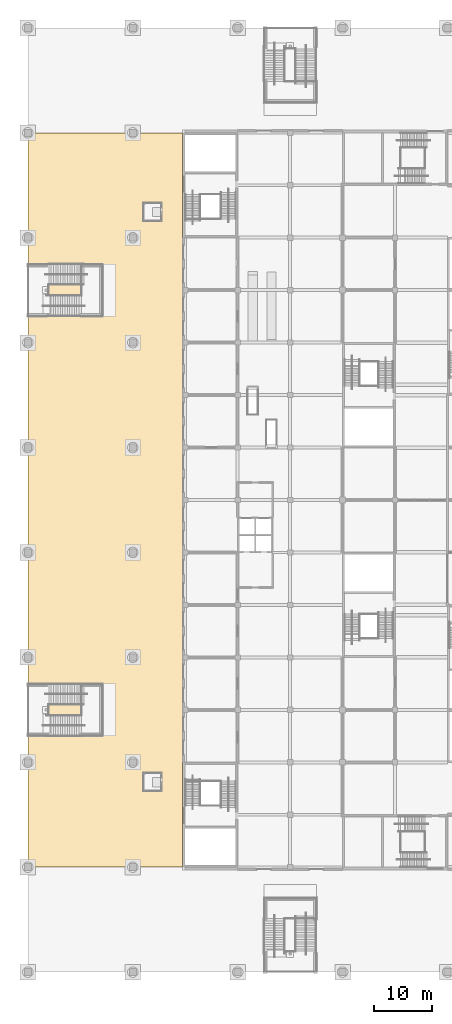
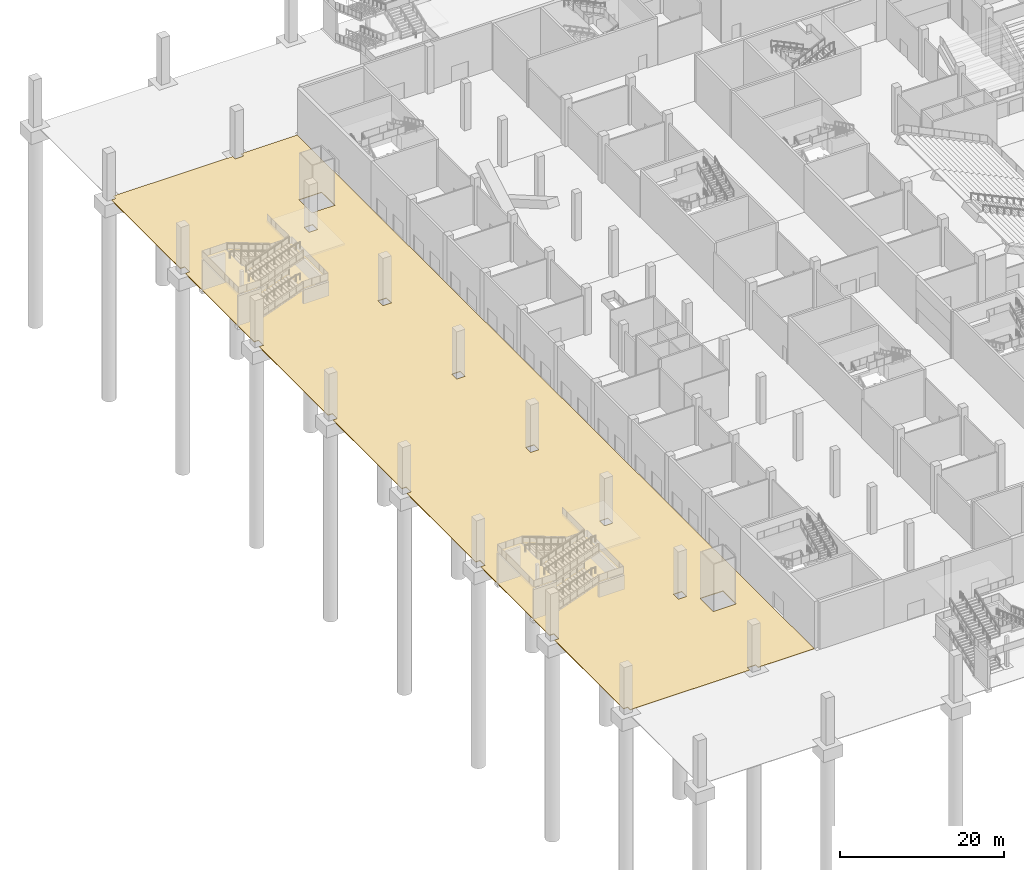
# One storey, part 62 of 92: 1 covering.
"""IFC4 building model written with IfcOpenShell, lengths in metres."""

import ifcopenshell
import ifcopenshell.guid

model = None  # the IFC model being written
_history = None  # IfcOwnerHistory: only IFC2X3 demands one
_inside = {}  # id of a spatial element -> (the spatial element, [elements in it])
_under = {}  # id of a project, library or spatial element -> (it, [spatial elements below it])
_declared = {}  # id of a project -> (the project, [libraries it declares])
_typed = {}  # id of a type object -> (the type object, [elements of that type])
_made_of = {}  # id of a material, layer set ... -> (it, [elements and type objects made of it])


def new_model(schema):
    """Start an empty IFC model of exactly this schema.

    Asked for "IFC4X3", IfcOpenShell would pick the latest addendum, in which some entities
    have other attributes; the version numbers below select the first issue.
    IFC2X3 requires an IfcOwnerHistory on every rooted entity: one is made here for all.
    """
    global model, _history
    if schema == "IFC4X3":
        model = ifcopenshell.file(schema_version=(4, 3, 0, 0))
    else:
        model = ifcopenshell.file(schema=schema)
    _inside.clear()
    _under.clear()
    _declared.clear()
    _typed.clear()
    _made_of.clear()
    _history = None
    if model.schema == "IFC2X3":
        org = make("IfcOrganization", Name="unknown")
        user = make(
            "IfcPersonAndOrganization",
            ThePerson=make("IfcPerson", FamilyName="unknown"),
            TheOrganization=org,
        )
        app = make(
            "IfcApplication",
            ApplicationDeveloper=org,
            Version="unknown",
            ApplicationFullName="unknown",
            ApplicationIdentifier="unknown",
        )
        _history = make(
            "IfcOwnerHistory",
            OwningUser=user,
            OwningApplication=app,
            ChangeAction="ADDED",
            CreationDate=0,
        )
    return model


def make(cls, **values):
    """One entity of the class cls with the attributes given. An attribute that is None is left unset."""
    return model.create_entity(
        cls, **{name: value for name, value in values.items() if value is not None}
    )


def rooted(cls, **values):
    """An entity with a GlobalId (a new one), such as an element, a storey or a relation."""
    return make(cls, GlobalId=ifcopenshell.guid.new(), OwnerHistory=_history, **values)


def si_unit(unit_type, name, prefix=None):
    """IfcSIUnit, for example si_unit("LENGTHUNIT", "METRE", prefix="MILLI")."""
    return make("IfcSIUnit", UnitType=unit_type, Prefix=prefix, Name=name)


def assignment(units):
    """IfcUnitAssignment: the units of a project."""
    return None if units is None else make("IfcUnitAssignment", Units=units)


def point(xyz):
    """IfcCartesianPoint."""
    return None if xyz is None else make("IfcCartesianPoint", Coordinates=xyz)


def direction(xyz):
    """IfcDirection."""
    return None if xyz is None else make("IfcDirection", DirectionRatios=xyz)


def frame(location, z_axis=None, x_axis=None):
    """IfcAxis2Placement3D, a coordinate frame: its origin and axes. An axis left out is left unset."""
    return make(
        "IfcAxis2Placement3D",
        Location=point(location),
        Axis=direction(z_axis),
        RefDirection=direction(x_axis),
    )


def origin():
    """The frame at (0, 0, 0) with its axes left unset."""
    return frame((0.0, 0.0, 0.0))


def place(relative_to, where):
    """IfcLocalPlacement: puts the frame where relative to a parent placement (None: the world)."""
    return make(
        "IfcLocalPlacement", PlacementRelTo=relative_to, RelativePlacement=where
    )


def context(
    kind, dimensions, precision=None, world=None, true_north=None, identifier=None
):
    """IfcGeometricRepresentationContext, for example the 3D "Model" context."""
    return make(
        "IfcGeometricRepresentationContext",
        ContextIdentifier=identifier,
        ContextType=kind,
        CoordinateSpaceDimension=dimensions,
        Precision=precision,
        WorldCoordinateSystem=world,
        TrueNorth=true_north,
    )


def subcontext(parent, identifier, kind, view, scale=None):
    """IfcGeometricRepresentationSubContext, for example "Body" below "Model"."""
    return make(
        "IfcGeometricRepresentationSubContext",
        ContextIdentifier=identifier,
        ContextType=kind,
        ParentContext=parent,
        TargetScale=scale,
        TargetView=view,
    )


def project(units=None, contexts=None):
    """IfcProject with its units and contexts."""
    return rooted(
        "IfcProject",
        Name="project",
        RepresentationContexts=contexts,
        UnitsInContext=assignment(units),
    )


def spatial(cls, under=None, at=None, **own):
    """A site, building, storey or space (cls), placed at a placement, below another one or the project."""
    s = rooted(cls, ObjectPlacement=at, **own)
    if under is not None:
        _under.setdefault(under.id(), (under, []))[1].append(s)
    return s


def polyline(points):
    """IfcPolyline through the points."""
    return make("IfcPolyline", Points=[point(p) for p in points])


def outline(outer, holes=None, kind="AREA"):
    """IfcArbitraryClosedProfileDef: a profile drawn as a closed curve; with holes, ...WithVoids."""
    if holes is None:
        return make("IfcArbitraryClosedProfileDef", ProfileType=kind, OuterCurve=outer)
    return make(
        "IfcArbitraryProfileDefWithVoids",
        ProfileType=kind,
        OuterCurve=outer,
        InnerCurves=holes,
    )


def extrude(swept, where, along, depth):
    """IfcExtrudedAreaSolid: the profile swept, set in the frame where, extruded along a direction by depth."""
    return make(
        "IfcExtrudedAreaSolid",
        SweptArea=swept,
        Position=where,
        ExtrudedDirection=direction(along),
        Depth=depth,
    )


def shape(context_of_items, identifier, shape_type, items):
    """IfcShapeRepresentation: the items that make up one representation, for example the "Body"."""
    return make(
        "IfcShapeRepresentation",
        ContextOfItems=context_of_items,
        RepresentationIdentifier=identifier,
        RepresentationType=shape_type,
        Items=items,
    )


def material(Name=None, Category=None):
    """IfcMaterial."""
    return make("IfcMaterial", Name=Name, Category=Category)


def layer(
    of_material, thickness, ventilated=None, Name=None, Category=None, Priority=None
):
    """IfcMaterialLayer: one layer of a wall or slab, of a material (None: an air gap)."""
    return make(
        "IfcMaterialLayer",
        Material=of_material,
        LayerThickness=thickness,
        IsVentilated=ventilated,
        Name=Name,
        Category=Category,
        Priority=Priority,
    )


def layer_set(layers, Name=None):
    """IfcMaterialLayerSet."""
    return make("IfcMaterialLayerSet", MaterialLayers=layers, LayerSetName=Name)


def made_of(thing, what):
    """Note that an element or type object is made of a material, layer set ...; save() writes the relation."""
    if what is not None:
        _made_of.setdefault(what.id(), (what, []))[1].append(thing)
    return thing


def type_object(cls, material=None, **own):
    """A type object (cls), such as IfcWallType, which elements share."""
    return made_of(rooted(cls, **own), material)


def element(
    cls,
    number,
    at=None,
    inside=None,
    cuts=None,
    type_object=None,
    material=None,
    context=None,
    identifier="Body",
    shape_type=None,
    held_by="IfcProductDefinitionShape",
    body=None,
    shapes=None,
    **own,
):
    """One element of the class cls, such as IfcWall. Its Tag is "e" and its number.

    at: its placement. inside: the storey or other place that contains it. cuts: it is an
    opening in that element (IfcRelVoidsElement). A single representation is given by context,
    identifier, shape_type and body (its items); several are given by shapes. held_by: the class
    of the entity that holds the representations. save() writes the other relations.
    """
    e = rooted(cls, Tag="e%d" % number, ObjectPlacement=at, **own)
    if body is not None:
        shapes = [shape(context, identifier, shape_type, body)]
    if shapes is not None:
        e.Representation = make(held_by, Representations=shapes)
    if inside is not None:
        _inside.setdefault(inside.id(), (inside, []))[1].append(e)
    if cuts is not None:
        rooted(
            "IfcRelVoidsElement", RelatingBuildingElement=cuts, RelatedOpeningElement=e
        )
    if type_object is not None:
        _typed.setdefault(type_object.id(), (type_object, []))[1].append(e)
    return made_of(e, material)


def aggregate(whole, parts):
    """IfcRelAggregates: a whole, such as a stair, and the parts it consists of."""
    return rooted("IfcRelAggregates", RelatingObject=whole, RelatedObjects=parts)


def save(model, path):
    """Write the relations noted so far, then the file.

    IfcRelAggregates (storeys below a building ...), IfcRelContainedInSpatialStructure (elements
    in a storey), IfcRelDefinesByType, IfcRelAssociatesMaterial and IfcRelDeclares: one each for
    every whole, place, type object, material and project.
    """
    for whole, parts in _under.values():
        aggregate(whole, parts)
    for where, things in _inside.values():
        rooted(
            "IfcRelContainedInSpatialStructure",
            RelatedElements=things,
            RelatingStructure=where,
        )
    for kind, things in _typed.values():
        rooted("IfcRelDefinesByType", RelatedObjects=things, RelatingType=kind)
    for what, things in _made_of.values():
        rooted("IfcRelAssociatesMaterial", RelatedObjects=things, RelatingMaterial=what)
    for by, libraries in _declared.values():
        rooted("IfcRelDeclares", RelatingContext=by, RelatedDefinitions=libraries)
    model.write(path)


model = new_model("IFC4")

# Units and contexts
model_context = context("Model", 3, precision=1e-05, world=origin(), true_north=direction((0.0, 1.0)))
body_context = subcontext(model_context, "Body", "Model", "MODEL_VIEW")
ifc_project = project(units=[si_unit("LENGTHUNIT", "METRE"), si_unit("AREAUNIT", "SQUARE_METRE"), si_unit("VOLUMEUNIT", "CUBIC_METRE"), si_unit("PLANEANGLEUNIT", "RADIAN"), si_unit("MASSUNIT", "GRAM", prefix="KILO")], contexts=[model_context])

# Site, building, storey
site_placement = place(None, origin())
site = spatial("IfcSite", under=ifc_project, at=site_placement, CompositionType="ELEMENT")
building_placement = place(site_placement, origin())
building = spatial("IfcBuilding", under=site, at=building_placement, Name="Silverbay Arena", CompositionType="ELEMENT")
storey_placement = place(building_placement, origin())
storey = spatial("IfcBuildingStorey", under=building, at=storey_placement, Name="L00", CompositionType="ELEMENT", Elevation=0.0)

# Covering
ifc_material = material(Name="Granite paving slabs", Category="masonry")
ifc_layer = layer(ifc_material, 0.10009765625)
ifc_layer_set = layer_set([ifc_layer], Name="Granite paving slabs")
covering_type = type_object("IfcCoveringType", Name="Granite paving 100", PredefinedType="FLOORING", material=ifc_layer_set)
covering_placement = place(storey_placement, frame((0.0, 0.0, -0.10009765625)))
element("IfcCovering", 1, at=covering_placement, inside=storey, type_object=covering_type, Name="Paving forecourt", PredefinedType="FLOORING", context=body_context, shape_type="SweptSolid", body=[
    extrude(outline(polyline([(0.0, 35.39990234375), (0.60009765625, 35.39990234375), (0.60009765625, 36.60009765625), (0.0, 36.60009765625), (0.0, 53.39990234375), (0.60009765625, 53.39990234375), (0.60009765625, 54.60009765625), (0.0, 54.60009765625), (0.0, 71.39990234375), (0.60009765625, 71.39990234375), (0.60009765625, 72.60009765625), (0.0, 72.60009765625), (0.0, 89.39990234375), (0.60009765625, 89.39990234375), (0.60009765625, 90.60009765625), (0.0, 90.60009765625), (0.0, 107.39990234375), (0.60009765625, 107.39990234375), (0.60009765625, 108.60009765625), (0.0, 108.60009765625), (0.0, 125.39990234375), (0.60009765625, 125.39990234375), (0.60009765625, 126.60009765625), (0.0, 126.60009765625), (0.0, 143.39990234375), (0.60009765625, 143.39990234375), (0.60009765625, 144.0), (17.39990234375, 144.0), (17.39990234375, 143.39990234375), (18.60009765625, 143.39990234375), (18.60009765625, 144.0), (26.5, 144.0), (26.5, 18.0), (18.60009765625, 18.0), (18.60009765625, 18.60009765625), (17.39990234375, 18.60009765625), (17.39990234375, 18.0), (0.60009765625, 18.0), (0.60009765625, 18.60009765625), (0.0, 18.60009765625), (0.0, 35.39990234375)]), holes=[polyline([(23.0, 34.199951171875), (19.800048828125, 34.199951171875), (19.800048828125, 31.0), (23.0, 31.0), (23.0, 34.199951171875)]), polyline([(18.60009765625, 36.60009765625), (17.39990234375, 36.60009765625), (17.39990234375, 35.39990234375), (18.60009765625, 35.39990234375), (18.60009765625, 36.60009765625)]), polyline([(17.39990234375, 54.60009765625), (17.39990234375, 53.39990234375), (18.60009765625, 53.39990234375), (18.60009765625, 54.60009765625), (17.39990234375, 54.60009765625)]), polyline([(18.60009765625, 72.60009765625), (17.39990234375, 72.60009765625), (17.39990234375, 71.39990234375), (18.60009765625, 71.39990234375), (18.60009765625, 72.60009765625)]), polyline([(18.60009765625, 90.60009765625), (17.39990234375, 90.60009765625), (17.39990234375, 89.39990234375), (18.60009765625, 89.39990234375), (18.60009765625, 90.60009765625)]), polyline([(18.60009765625, 108.60009765625), (17.39990234375, 108.60009765625), (17.39990234375, 107.39990234375), (18.60009765625, 107.39990234375), (18.60009765625, 108.60009765625)]), polyline([(17.39990234375, 126.60009765625), (17.39990234375, 125.39990234375), (18.60009765625, 125.39990234375), (18.60009765625, 126.60009765625), (17.39990234375, 126.60009765625)]), polyline([(23.0, 132.0), (19.800048828125, 132.0), (19.800048828125, 128.800048828125), (23.0, 128.800048828125), (23.0, 132.0)])]), origin(), (0.0, 0.0, 1.0), 0.10009765625),
])

save(model, "model.ifc")
